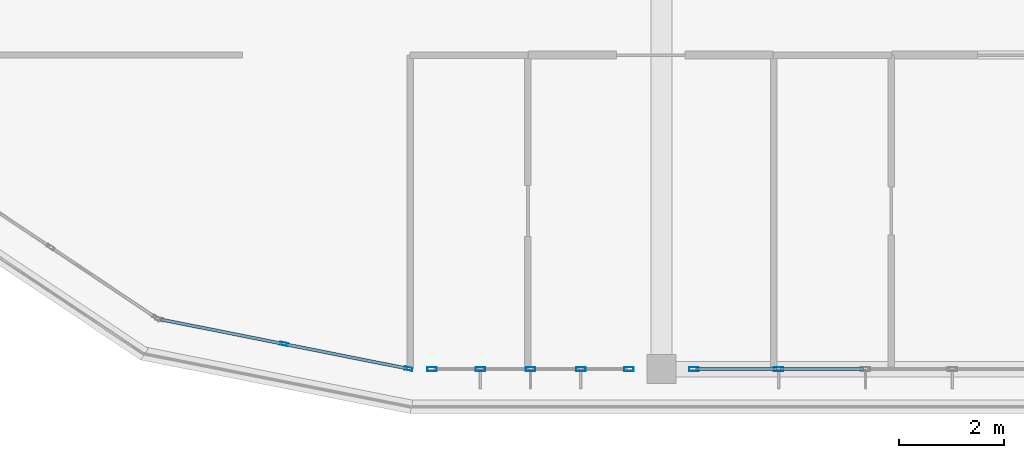
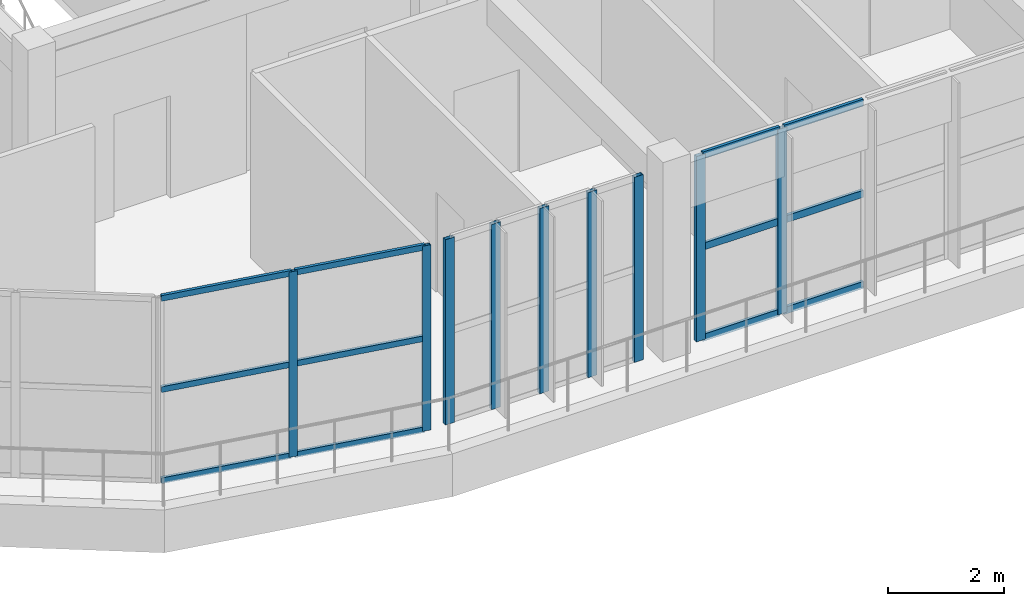
# One storey, part 3 of 44: 21 members, 3 elements without a shape of their own.
"""IFC4 building model written with IfcOpenShell, lengths in metres."""

from ifc_helpers import new_model, si_unit, direction, frame, origin, origin_2d, place, context, subcontext, project, spatial, hollow_rectangle, extrude, material, layer, layer_set, material_profile, profile_set, type_object, element, aggregate, save


model = new_model("IFC4")

# Units and contexts
model_context = context("Model", 3, precision=1e-05, world=origin(), true_north=direction((0.0, 1.0)))
body_context = subcontext(model_context, "Body", "Model", "MODEL_VIEW")
ifc_project = project(units=[si_unit("LENGTHUNIT", "METRE"), si_unit("AREAUNIT", "SQUARE_METRE"), si_unit("VOLUMEUNIT", "CUBIC_METRE"), si_unit("PLANEANGLEUNIT", "RADIAN"), si_unit("MASSUNIT", "GRAM", prefix="KILO")], contexts=[model_context])

# Site, building, storey
site_placement = place(None, origin())
site = spatial("IfcSite", under=ifc_project, at=site_placement, CompositionType="ELEMENT")
building_placement = place(site_placement, origin())
building = spatial("IfcBuilding", under=site, at=building_placement, Name="Zizhar Promenade General Hospital", CompositionType="ELEMENT")
storey_placement = place(building_placement, frame((0.0, 0.0, 34.800048828125)))
storey = spatial("IfcBuildingStorey", under=building, at=storey_placement, Name="L08", CompositionType="ELEMENT", Elevation=34.800048828125)

# Curtain wall, members
ifc_material_1 = material(Name="Anodised aluminium 6063-T6 and low-E glass", Category="aluminium")
ifc_layer_1 = layer(ifc_material_1, 0.159912109375)
ifc_layer_set_1 = layer_set([ifc_layer_1], Name="Anodised aluminium 6063-T6 and low-E glass")
curtain_wall_type_1 = type_object("IfcCurtainWallType", Name="CW-WARD-ARC", PredefinedType="NOTDEFINED", material=ifc_layer_set_1)
curtain_wall_1_placement = place(storey_placement, origin())
curtain_wall_1 = element("IfcCurtainWall", 1, at=curtain_wall_1_placement, inside=storey, type_object=curtain_wall_type_1, Name="Ward Semicircular End Glazing L08-17", PredefinedType="NOTDEFINED")
ifc_material_2 = material(Name="Anodised aluminium 6063-T6", Category="aluminium")
ifc_material_profile_1 = material_profile(ifc_material_2, hollow_rectangle(XDim=0.06005859375, YDim=0.14990234375, WallThickness=0.00390625, at=origin_2d()))
ifc_profile_set_1 = profile_set([ifc_material_profile_1], Name="Anodised aluminium 6063-T6")
member_type_1 = type_object("IfcMemberType", Name="CWM-ALU-150x60", PredefinedType="MULLION", material=ifc_profile_set_1)
member_1_placement = place(storey_placement, frame((49.7705078125, 0.005859375, 0.0), z_axis=(0.0, 0.0, 1.0), x_axis=(-0.195087259275, -0.980785889615, 0.0)))
member_1 = element("IfcMember", 2, at=member_1_placement, type_object=member_type_1, Name="CW-12 mullion 1", PredefinedType="MULLION", context=body_context, shape_type="SweptSolid", body=[
    extrude(hollow_rectangle(XDim=0.06005859375, YDim=0.14990234375, WallThickness=0.00390625, at=origin_2d()), origin(), (0.0, 0.0, 1.0), 3.89990234375),
])
member_2_placement = place(storey_placement, frame((47.38916015625, 0.4794921875, 0.0), z_axis=(0.0, 0.0, 1.0), x_axis=(-0.195087259275, -0.980785889615, 0.0)))
member_2 = element("IfcMember", 3, at=member_2_placement, type_object=member_type_1, Name="CW-12 mullion 2", PredefinedType="MULLION", context=body_context, shape_type="SweptSolid", body=[
    extrude(hollow_rectangle(XDim=0.06005859375, YDim=0.14990234375, WallThickness=0.00390625, at=origin_2d()), origin(), (0.0, 0.0, 1.0), 3.89990234375),
])

ifc_material_3 = material(Name="Anodised aluminium 6063-T6 and low-E glass", Category="aluminium")
ifc_layer_2 = layer(ifc_material_3, 0.159912109375)
ifc_layer_set_2 = layer_set([ifc_layer_2], Name="Anodised aluminium 6063-T6 and low-E glass")
curtain_wall_type_2 = type_object("IfcCurtainWallType", Name="CW-WARD-RIB", PredefinedType="NOTDEFINED", material=ifc_layer_set_2)
curtain_wall_2_placement = place(storey_placement, origin())
curtain_wall_2 = element("IfcCurtainWall", 4, at=curtain_wall_2_placement, inside=storey, type_object=curtain_wall_type_2, Name="Ward Ribbon Curtain Wall L08-17-5", PredefinedType="NOTDEFINED")
ifc_material_4 = material(Name="Anodised aluminium 6063-T6", Category="aluminium")
ifc_material_profile_2 = material_profile(ifc_material_4, hollow_rectangle(XDim=0.080078125, YDim=0.179931640625, WallThickness=0.0048828125, at=origin_2d()))
ifc_profile_set_2 = profile_set([ifc_material_profile_2], Name="Anodised aluminium 6063-T6")
member_type_2 = type_object("IfcMemberType", Name="CWM-ALU-180x80", PredefinedType="MULLION", material=ifc_profile_set_2)
member_3_placement = place(storey_placement, frame((56.840087890625, 0.0, 0.0), z_axis=(0.0, 0.0, 1.0), x_axis=(0.0, -1.0, 0.0)))
member_3 = element("IfcMember", 5, at=member_3_placement, type_object=member_type_2, Name="CW-13 mullion 4", PredefinedType="MULLION", context=body_context, shape_type="SweptSolid", body=[
    extrude(hollow_rectangle(XDim=0.080078125, YDim=0.179931640625, WallThickness=0.0048828125, at=origin_2d()), origin(), (0.0, 0.0, 1.0), 3.89990234375),
])
member_4_placement = place(storey_placement, frame((55.219970703125, 0.0, 0.0), z_axis=(0.0, 0.0, 1.0), x_axis=(0.0, -1.0, 0.0)))
member_4 = element("IfcMember", 6, at=member_4_placement, type_object=member_type_2, Name="CW-13 mullion 5", PredefinedType="MULLION", context=body_context, shape_type="SweptSolid", body=[
    extrude(hollow_rectangle(XDim=0.080078125, YDim=0.179931640625, WallThickness=0.0048828125, at=origin_2d()), origin(), (0.0, 0.0, 1.0), 3.89990234375),
])

curtain_wall_3_placement = place(storey_placement, origin())
curtain_wall_3 = element("IfcCurtainWall", 7, at=curtain_wall_3_placement, inside=storey, type_object=curtain_wall_type_2, Name="Ward Ribbon Curtain Wall L08-17-6", PredefinedType="NOTDEFINED")
member_5_placement = place(storey_placement, frame((53.97998046875, 0.0, 0.0), z_axis=(0.0, 0.0, 1.0), x_axis=(0.0, -1.0, 0.0)))
member_5 = element("IfcMember", 8, at=member_5_placement, type_object=member_type_2, Name="CW-13 mullion 1", PredefinedType="MULLION", context=body_context, shape_type="SweptSolid", body=[
    extrude(hollow_rectangle(XDim=0.080078125, YDim=0.179931640625, WallThickness=0.0048828125, at=origin_2d()), origin(), (0.0, 0.0, 1.0), 3.89990234375),
])
member_6_placement = place(storey_placement, frame((53.06005859375, 0.0, 0.0), z_axis=(0.0, 0.0, 1.0), x_axis=(0.0, -1.0, 0.0)))
member_6 = element("IfcMember", 9, at=member_6_placement, type_object=member_type_2, Name="CW-13 mullion 2", PredefinedType="MULLION", context=body_context, shape_type="SweptSolid", body=[
    extrude(hollow_rectangle(XDim=0.080078125, YDim=0.179931640625, WallThickness=0.0048828125, at=origin_2d()), origin(), (0.0, 0.0, 1.0), 3.89990234375),
])
member_7_placement = place(storey_placement, frame((52.10009765625, 0.0, 0.0), z_axis=(0.0, 0.0, 1.0), x_axis=(0.0, -1.0, 0.0)))
member_7 = element("IfcMember", 10, at=member_7_placement, type_object=member_type_2, Name="CW-13 mullion 3", PredefinedType="MULLION", context=body_context, shape_type="SweptSolid", body=[
    extrude(hollow_rectangle(XDim=0.080078125, YDim=0.179931640625, WallThickness=0.0048828125, at=origin_2d()), origin(), (0.0, 0.0, 1.0), 3.89990234375),
])
member_8_placement = place(storey_placement, frame((51.139892578125, 0.0, 0.0), z_axis=(0.0, 0.0, 1.0), x_axis=(0.0, -1.0, 0.0)))
member_8 = element("IfcMember", 11, at=member_8_placement, type_object=member_type_2, Name="CW-13 mullion 4", PredefinedType="MULLION", context=body_context, shape_type="SweptSolid", body=[
    extrude(hollow_rectangle(XDim=0.080078125, YDim=0.179931640625, WallThickness=0.0048828125, at=origin_2d()), origin(), (0.0, 0.0, 1.0), 3.89990234375),
])
member_9_placement = place(storey_placement, frame((50.219970703125, 0.0, 0.0), z_axis=(0.0, 0.0, 1.0), x_axis=(0.0, -1.0, 0.0)))
member_9 = element("IfcMember", 12, at=member_9_placement, type_object=member_type_2, Name="CW-13 mullion 5", PredefinedType="MULLION", context=body_context, shape_type="SweptSolid", body=[
    extrude(hollow_rectangle(XDim=0.080078125, YDim=0.179931640625, WallThickness=0.0048828125, at=origin_2d()), origin(), (0.0, 0.0, 1.0), 3.89990234375),
])
aggregate(curtain_wall_3, [member_5, member_6, member_7, member_8, member_9])

# Member
ifc_material_5 = material(Name="Anodised aluminium 6063-T6", Category="aluminium")
ifc_material_profile_3 = material_profile(ifc_material_5, hollow_rectangle(XDim=0.06005859375, YDim=0.1201171875, WallThickness=0.00390625, at=origin_2d()))
ifc_profile_set_3 = profile_set([ifc_material_profile_3], Name="Anodised aluminium 6063-T6")
member_type_3 = type_object("IfcMemberType", Name="CWT-ALU-120x60", PredefinedType="USERDEFINED", material=ifc_profile_set_3)
member_10_placement = place(storey_placement, frame((49.7412109375, 0.01171875, 0.030029296875), z_axis=(-0.980794200422, 0.195045472693, 0.0), x_axis=(-0.195045472693, -0.980794200422, 0.0)))
member_10 = element("IfcMember", 13, at=member_10_placement, type_object=member_type_3, Name="CW-12 transom 1.1", ObjectType="TRANSOM", PredefinedType="USERDEFINED", context=body_context, shape_type="SweptSolid", body=[
    extrude(hollow_rectangle(XDim=0.06005859375, YDim=0.1201171875, WallThickness=0.00390625, at=origin_2d()), origin(), (0.0, 0.0, 1.0), 2.3681640625),
])

member_11_placement = place(storey_placement, frame((49.7412109375, 0.01171875, 1.949951171875), z_axis=(-0.980794200422, 0.195045472693, 0.0), x_axis=(-0.195045472693, -0.980794200422, 0.0)))
member_11 = element("IfcMember", 14, at=member_11_placement, type_object=member_type_3, Name="CW-12 transom 1.2", ObjectType="TRANSOM", PredefinedType="USERDEFINED", context=body_context, shape_type="SweptSolid", body=[
    extrude(hollow_rectangle(XDim=0.06005859375, YDim=0.1201171875, WallThickness=0.00390625, at=origin_2d()), origin(), (0.0, 0.0, 1.0), 2.3681640625),
])

member_12_placement = place(storey_placement, frame((49.7412109375, 0.01171875, 3.869873046875), z_axis=(-0.980794200422, 0.195045472693, 0.0), x_axis=(-0.195045472693, -0.980794200422, 0.0)))
member_12 = element("IfcMember", 15, at=member_12_placement, type_object=member_type_3, Name="CW-12 transom 1.3", ObjectType="TRANSOM", PredefinedType="USERDEFINED", context=body_context, shape_type="SweptSolid", body=[
    extrude(hollow_rectangle(XDim=0.06005859375, YDim=0.1201171875, WallThickness=0.00390625, at=origin_2d()), origin(), (0.0, 0.0, 1.0), 2.3681640625),
])

member_13_placement = place(storey_placement, frame((47.359619140625, 0.4853515625, 0.030029296875), z_axis=(-0.98077054851, 0.195164369634, 0.0), x_axis=(-0.195164369634, -0.98077054851, 0.0)))
member_13 = element("IfcMember", 16, at=member_13_placement, type_object=member_type_3, Name="CW-12 transom 2.1", ObjectType="TRANSOM", PredefinedType="USERDEFINED", context=body_context, shape_type="SweptSolid", body=[
    extrude(hollow_rectangle(XDim=0.06005859375, YDim=0.1201171875, WallThickness=0.00390625, at=origin_2d()), origin(), (0.0, 0.0, 1.0), 2.3681640625),
])

member_14_placement = place(storey_placement, frame((47.359619140625, 0.4853515625, 1.949951171875), z_axis=(-0.98077054851, 0.195164369634, 0.0), x_axis=(-0.195164369634, -0.98077054851, 0.0)))
member_14 = element("IfcMember", 17, at=member_14_placement, type_object=member_type_3, Name="CW-12 transom 2.2", ObjectType="TRANSOM", PredefinedType="USERDEFINED", context=body_context, shape_type="SweptSolid", body=[
    extrude(hollow_rectangle(XDim=0.06005859375, YDim=0.1201171875, WallThickness=0.00390625, at=origin_2d()), origin(), (0.0, 0.0, 1.0), 2.3681640625),
])

member_15_placement = place(storey_placement, frame((47.359619140625, 0.4853515625, 3.869873046875), z_axis=(-0.98077054851, 0.195164369634, 0.0), x_axis=(-0.195164369634, -0.98077054851, 0.0)))
member_15 = element("IfcMember", 18, at=member_15_placement, type_object=member_type_3, Name="CW-12 transom 2.3", ObjectType="TRANSOM", PredefinedType="USERDEFINED", context=body_context, shape_type="SweptSolid", body=[
    extrude(hollow_rectangle(XDim=0.06005859375, YDim=0.1201171875, WallThickness=0.00390625, at=origin_2d()), origin(), (0.0, 0.0, 1.0), 2.3681640625),
])

aggregate(curtain_wall_1, [member_1, member_2, member_10, member_11, member_12, member_13, member_14, member_15])

ifc_material_6 = material(Name="Anodised aluminium 6063-T6", Category="aluminium")
ifc_material_profile_4 = material_profile(ifc_material_6, hollow_rectangle(XDim=0.06005859375, YDim=0.14990234375, WallThickness=0.00390625, at=origin_2d()))
ifc_profile_set_4 = profile_set([ifc_material_profile_4], Name="Anodised aluminium 6063-T6")
member_type_4 = type_object("IfcMemberType", Name="CWT-ALU-150x60", PredefinedType="USERDEFINED", material=ifc_profile_set_4)
member_16_placement = place(storey_placement, frame((58.4599609375, 0.0, 0.030029296875), z_axis=(-1.0, 0.0, 0.0), x_axis=(0.0, -1.0, 0.0)))
member_16 = element("IfcMember", 19, at=member_16_placement, type_object=member_type_4, Name="CW-13 transom 3.1", ObjectType="TRANSOM", PredefinedType="USERDEFINED", context=body_context, shape_type="SweptSolid", body=[
    extrude(hollow_rectangle(XDim=0.06005859375, YDim=0.14990234375, WallThickness=0.00390625, at=origin_2d()), origin(), (0.0, 0.0, 1.0), 1.580078125),
])

member_17_placement = place(storey_placement, frame((58.4599609375, 0.0, 1.949951171875), z_axis=(-1.0, 0.0, 0.0), x_axis=(0.0, -1.0, 0.0)))
member_17 = element("IfcMember", 20, at=member_17_placement, type_object=member_type_4, Name="CW-13 transom 3.2", ObjectType="TRANSOM", PredefinedType="USERDEFINED", context=body_context, shape_type="SweptSolid", body=[
    extrude(hollow_rectangle(XDim=0.06005859375, YDim=0.14990234375, WallThickness=0.00390625, at=origin_2d()), origin(), (0.0, 0.0, 1.0), 1.580078125),
])

member_18_placement = place(storey_placement, frame((58.4599609375, 0.0, 3.869873046875), z_axis=(-1.0, 0.0, 0.0), x_axis=(0.0, -1.0, 0.0)))
member_18 = element("IfcMember", 21, at=member_18_placement, type_object=member_type_4, Name="CW-13 transom 3.3", ObjectType="TRANSOM", PredefinedType="USERDEFINED", context=body_context, shape_type="SweptSolid", body=[
    extrude(hollow_rectangle(XDim=0.06005859375, YDim=0.14990234375, WallThickness=0.00390625, at=origin_2d()), origin(), (0.0, 0.0, 1.0), 1.580078125),
])

member_19_placement = place(storey_placement, frame((56.800048828125, 0.0, 0.030029296875), z_axis=(-1.0, 0.0, 0.0), x_axis=(0.0, -1.0, 0.0)))
member_19 = element("IfcMember", 22, at=member_19_placement, type_object=member_type_4, Name="CW-13 transom 4.1", ObjectType="TRANSOM", PredefinedType="USERDEFINED", context=body_context, shape_type="SweptSolid", body=[
    extrude(hollow_rectangle(XDim=0.06005859375, YDim=0.14990234375, WallThickness=0.00390625, at=origin_2d()), origin(), (0.0, 0.0, 1.0), 1.5400390625),
])

member_20_placement = place(storey_placement, frame((56.800048828125, 0.0, 1.949951171875), z_axis=(-1.0, 0.0, 0.0), x_axis=(0.0, -1.0, 0.0)))
member_20 = element("IfcMember", 23, at=member_20_placement, type_object=member_type_4, Name="CW-13 transom 4.2", ObjectType="TRANSOM", PredefinedType="USERDEFINED", context=body_context, shape_type="SweptSolid", body=[
    extrude(hollow_rectangle(XDim=0.06005859375, YDim=0.14990234375, WallThickness=0.00390625, at=origin_2d()), origin(), (0.0, 0.0, 1.0), 1.5400390625),
])

member_21_placement = place(storey_placement, frame((56.800048828125, 0.0, 3.869873046875), z_axis=(-1.0, 0.0, 0.0), x_axis=(0.0, -1.0, 0.0)))
member_21 = element("IfcMember", 24, at=member_21_placement, type_object=member_type_4, Name="CW-13 transom 4.3", ObjectType="TRANSOM", PredefinedType="USERDEFINED", context=body_context, shape_type="SweptSolid", body=[
    extrude(hollow_rectangle(XDim=0.06005859375, YDim=0.14990234375, WallThickness=0.00390625, at=origin_2d()), origin(), (0.0, 0.0, 1.0), 1.5400390625),
])

aggregate(curtain_wall_2, [member_3, member_4, member_16, member_17, member_18, member_19, member_20, member_21])

save(model, "model.ifc")
